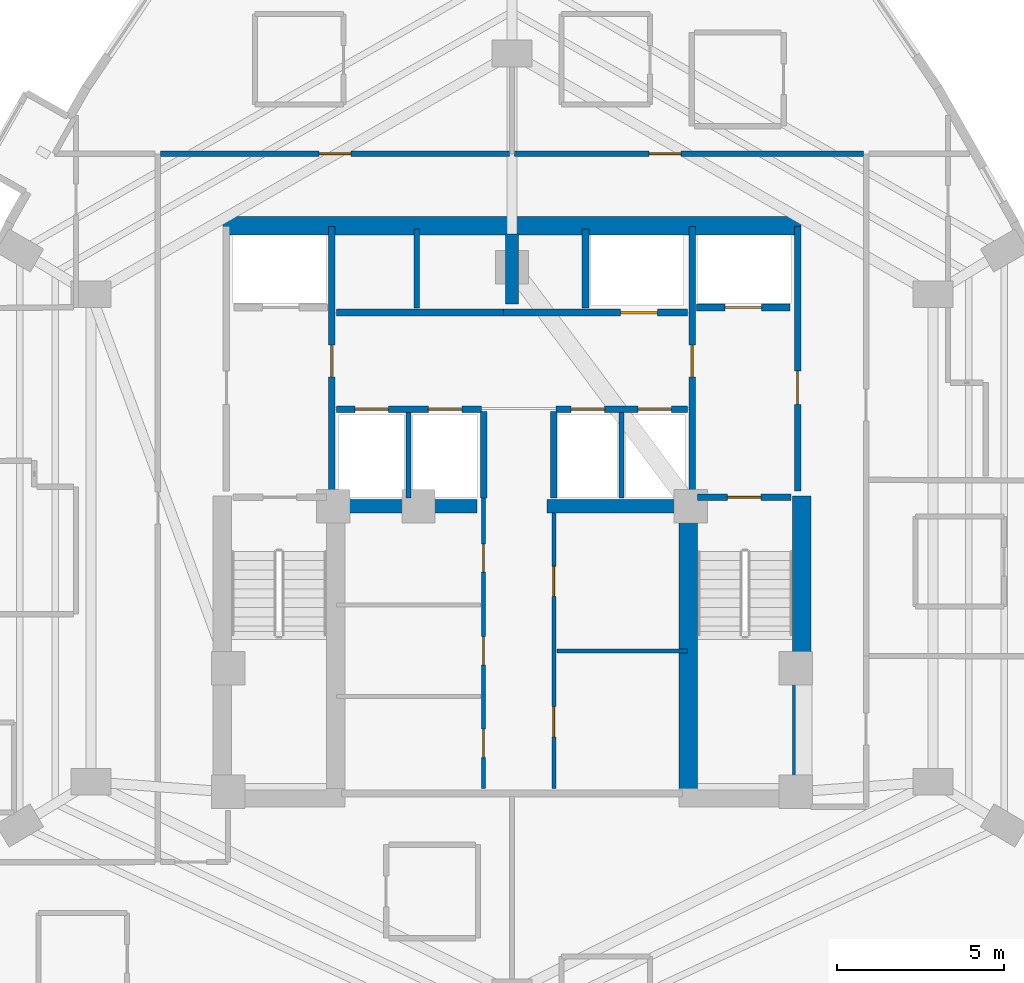
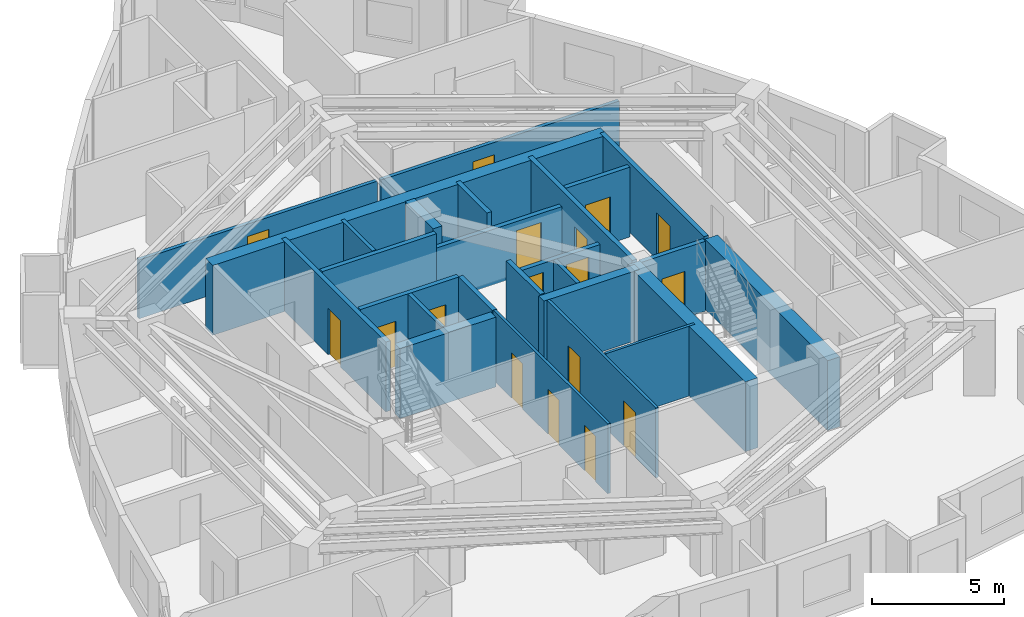
# One storey, part 8 of 12: 26 walls, 17 doors, 17 openings.
"""IFC4 building model written with IfcOpenShell, lengths in metres."""

import ifcopenshell
import ifcopenshell.guid

model = None  # the IFC model being written
_history = None  # IfcOwnerHistory: only IFC2X3 demands one
_inside = {}  # id of a spatial element -> (the spatial element, [elements in it])
_under = {}  # id of a project, library or spatial element -> (it, [spatial elements below it])
_declared = {}  # id of a project -> (the project, [libraries it declares])
_typed = {}  # id of a type object -> (the type object, [elements of that type])
_made_of = {}  # id of a material, layer set ... -> (it, [elements and type objects made of it])


def new_model(schema):
    """Start an empty IFC model of exactly this schema.

    Asked for "IFC4X3", IfcOpenShell would pick the latest addendum, in which some entities
    have other attributes; the version numbers below select the first issue.
    IFC2X3 requires an IfcOwnerHistory on every rooted entity: one is made here for all.
    """
    global model, _history
    if schema == "IFC4X3":
        model = ifcopenshell.file(schema_version=(4, 3, 0, 0))
    else:
        model = ifcopenshell.file(schema=schema)
    _inside.clear()
    _under.clear()
    _declared.clear()
    _typed.clear()
    _made_of.clear()
    _history = None
    if model.schema == "IFC2X3":
        org = make("IfcOrganization", Name="unknown")
        user = make(
            "IfcPersonAndOrganization",
            ThePerson=make("IfcPerson", FamilyName="unknown"),
            TheOrganization=org,
        )
        app = make(
            "IfcApplication",
            ApplicationDeveloper=org,
            Version="unknown",
            ApplicationFullName="unknown",
            ApplicationIdentifier="unknown",
        )
        _history = make(
            "IfcOwnerHistory",
            OwningUser=user,
            OwningApplication=app,
            ChangeAction="ADDED",
            CreationDate=0,
        )
    return model


def make(cls, **values):
    """One entity of the class cls with the attributes given. An attribute that is None is left unset."""
    return model.create_entity(
        cls, **{name: value for name, value in values.items() if value is not None}
    )


def rooted(cls, **values):
    """An entity with a GlobalId (a new one), such as an element, a storey or a relation."""
    return make(cls, GlobalId=ifcopenshell.guid.new(), OwnerHistory=_history, **values)


def si_unit(unit_type, name, prefix=None):
    """IfcSIUnit, for example si_unit("LENGTHUNIT", "METRE", prefix="MILLI")."""
    return make("IfcSIUnit", UnitType=unit_type, Prefix=prefix, Name=name)


def assignment(units):
    """IfcUnitAssignment: the units of a project."""
    return None if units is None else make("IfcUnitAssignment", Units=units)


def point(xyz):
    """IfcCartesianPoint."""
    return None if xyz is None else make("IfcCartesianPoint", Coordinates=xyz)


def direction(xyz):
    """IfcDirection."""
    return None if xyz is None else make("IfcDirection", DirectionRatios=xyz)


def frame(location, z_axis=None, x_axis=None):
    """IfcAxis2Placement3D, a coordinate frame: its origin and axes. An axis left out is left unset."""
    return make(
        "IfcAxis2Placement3D",
        Location=point(location),
        Axis=direction(z_axis),
        RefDirection=direction(x_axis),
    )


def frame_2d(location, x_axis=None):
    """IfcAxis2Placement2D, a coordinate frame in the plane: its origin and x axis."""
    return make(
        "IfcAxis2Placement2D", Location=point(location), RefDirection=direction(x_axis)
    )


def origin():
    """The frame at (0, 0, 0) with its axes left unset."""
    return frame((0.0, 0.0, 0.0))


def place(relative_to, where):
    """IfcLocalPlacement: puts the frame where relative to a parent placement (None: the world)."""
    return make(
        "IfcLocalPlacement", PlacementRelTo=relative_to, RelativePlacement=where
    )


def context(
    kind, dimensions, precision=None, world=None, true_north=None, identifier=None
):
    """IfcGeometricRepresentationContext, for example the 3D "Model" context."""
    return make(
        "IfcGeometricRepresentationContext",
        ContextIdentifier=identifier,
        ContextType=kind,
        CoordinateSpaceDimension=dimensions,
        Precision=precision,
        WorldCoordinateSystem=world,
        TrueNorth=true_north,
    )


def subcontext(parent, identifier, kind, view, scale=None):
    """IfcGeometricRepresentationSubContext, for example "Body" below "Model"."""
    return make(
        "IfcGeometricRepresentationSubContext",
        ContextIdentifier=identifier,
        ContextType=kind,
        ParentContext=parent,
        TargetScale=scale,
        TargetView=view,
    )


def project(units=None, contexts=None):
    """IfcProject with its units and contexts."""
    return rooted(
        "IfcProject",
        Name="project",
        RepresentationContexts=contexts,
        UnitsInContext=assignment(units),
    )


def spatial(cls, under=None, at=None, **own):
    """A site, building, storey or space (cls), placed at a placement, below another one or the project."""
    s = rooted(cls, ObjectPlacement=at, **own)
    if under is not None:
        _under.setdefault(under.id(), (under, []))[1].append(s)
    return s


def profile(cls, at=None, kind="AREA", **sizes):
    """A parametric profile (cls). Its sizes go by their IFC names, for example OverallWidth=200.0."""
    return make(cls, ProfileType=kind, Position=at, **sizes)


def rectangle(**sizes):
    """IfcRectangleProfileDef."""
    return profile("IfcRectangleProfileDef", **sizes)


def extrude(swept, where, along, depth):
    """IfcExtrudedAreaSolid: the profile swept, set in the frame where, extruded along a direction by depth."""
    return make(
        "IfcExtrudedAreaSolid",
        SweptArea=swept,
        Position=where,
        ExtrudedDirection=direction(along),
        Depth=depth,
    )


def shape(context_of_items, identifier, shape_type, items):
    """IfcShapeRepresentation: the items that make up one representation, for example the "Body"."""
    return make(
        "IfcShapeRepresentation",
        ContextOfItems=context_of_items,
        RepresentationIdentifier=identifier,
        RepresentationType=shape_type,
        Items=items,
    )


def material(Name=None, Category=None):
    """IfcMaterial."""
    return make("IfcMaterial", Name=Name, Category=Category)


def layer(
    of_material, thickness, ventilated=None, Name=None, Category=None, Priority=None
):
    """IfcMaterialLayer: one layer of a wall or slab, of a material (None: an air gap)."""
    return make(
        "IfcMaterialLayer",
        Material=of_material,
        LayerThickness=thickness,
        IsVentilated=ventilated,
        Name=Name,
        Category=Category,
        Priority=Priority,
    )


def layer_set(layers, Name=None):
    """IfcMaterialLayerSet."""
    return make("IfcMaterialLayerSet", MaterialLayers=layers, LayerSetName=Name)


def made_of(thing, what):
    """Note that an element or type object is made of a material, layer set ...; save() writes the relation."""
    if what is not None:
        _made_of.setdefault(what.id(), (what, []))[1].append(thing)
    return thing


def type_object(cls, material=None, **own):
    """A type object (cls), such as IfcWallType, which elements share."""
    return made_of(rooted(cls, **own), material)


def element(
    cls,
    number,
    at=None,
    inside=None,
    cuts=None,
    type_object=None,
    material=None,
    context=None,
    identifier="Body",
    shape_type=None,
    held_by="IfcProductDefinitionShape",
    body=None,
    shapes=None,
    **own,
):
    """One element of the class cls, such as IfcWall. Its Tag is "e" and its number.

    at: its placement. inside: the storey or other place that contains it. cuts: it is an
    opening in that element (IfcRelVoidsElement). A single representation is given by context,
    identifier, shape_type and body (its items); several are given by shapes. held_by: the class
    of the entity that holds the representations. save() writes the other relations.
    """
    e = rooted(cls, Tag="e%d" % number, ObjectPlacement=at, **own)
    if body is not None:
        shapes = [shape(context, identifier, shape_type, body)]
    if shapes is not None:
        e.Representation = make(held_by, Representations=shapes)
    if inside is not None:
        _inside.setdefault(inside.id(), (inside, []))[1].append(e)
    if cuts is not None:
        rooted(
            "IfcRelVoidsElement", RelatingBuildingElement=cuts, RelatedOpeningElement=e
        )
    if type_object is not None:
        _typed.setdefault(type_object.id(), (type_object, []))[1].append(e)
    return made_of(e, material)


def fill(opening, filler):
    """IfcRelFillsElement: the door or window that sits in an opening."""
    return rooted(
        "IfcRelFillsElement",
        RelatingOpeningElement=opening,
        RelatedBuildingElement=filler,
    )


def aggregate(whole, parts):
    """IfcRelAggregates: a whole, such as a stair, and the parts it consists of."""
    return rooted("IfcRelAggregates", RelatingObject=whole, RelatedObjects=parts)


def save(model, path):
    """Write the relations noted so far, then the file.

    IfcRelAggregates (storeys below a building ...), IfcRelContainedInSpatialStructure (elements
    in a storey), IfcRelDefinesByType, IfcRelAssociatesMaterial and IfcRelDeclares: one each for
    every whole, place, type object, material and project.
    """
    for whole, parts in _under.values():
        aggregate(whole, parts)
    for where, things in _inside.values():
        rooted(
            "IfcRelContainedInSpatialStructure",
            RelatedElements=things,
            RelatingStructure=where,
        )
    for kind, things in _typed.values():
        rooted("IfcRelDefinesByType", RelatedObjects=things, RelatingType=kind)
    for what, things in _made_of.values():
        rooted("IfcRelAssociatesMaterial", RelatedObjects=things, RelatingMaterial=what)
    for by, libraries in _declared.values():
        rooted("IfcRelDeclares", RelatingContext=by, RelatedDefinitions=libraries)
    model.write(path)


model = new_model("IFC4")

# Units and contexts
model_context = context("Model", 3, precision=1e-05, world=origin(), true_north=direction((0.0, 1.0)))
body_context = subcontext(model_context, "Body", "Model", "MODEL_VIEW")
ifc_project = project(units=[si_unit("LENGTHUNIT", "METRE"), si_unit("AREAUNIT", "SQUARE_METRE"), si_unit("VOLUMEUNIT", "CUBIC_METRE"), si_unit("PLANEANGLEUNIT", "RADIAN"), si_unit("MASSUNIT", "GRAM", prefix="KILO")], contexts=[model_context])

# Site, building, storey
site_placement = place(None, origin())
site = spatial("IfcSite", under=ifc_project, at=site_placement, CompositionType="ELEMENT")
building_placement = place(site_placement, origin())
building = spatial("IfcBuilding", under=site, at=building_placement, Name="Miruveldt Soraemaru", CompositionType="ELEMENT")
storey_placement = place(building_placement, frame((0.0, 0.0, 103.89990234375)))
storey = spatial("IfcBuildingStorey", under=building, at=storey_placement, Name="L28", CompositionType="ELEMENT", Elevation=103.89990234375)

# Walls
ifc_material_1 = material(Name="Concrete C70/85 (70 MPa)", Category="concrete")
ifc_layer_1 = layer(ifc_material_1, 0.5, Name="Concrete C70/85 (70 MPa)", Category="concrete")
ifc_layer_set_1 = layer_set([ifc_layer_1], Name="Concrete C70/85 (70 MPa)")
wall_type_1 = type_object("IfcWallType", Name="WALL-BW-500", PredefinedType="SHEAR", material=ifc_layer_set_1)
wall_1_placement = place(storey_placement, frame((44.0, 50.10009765625, 0.0), z_axis=(0.0, 0.0, 1.0), x_axis=(0.0, 1.0, 0.0)))
element("IfcWall", 1, at=wall_1_placement, inside=storey, type_object=wall_type_1, Name="L28 Core Buttress Shear Wall BN", PredefinedType="SHEAR", context=body_context, shape_type="SweptSolid", body=[
    extrude(rectangle(XDim=2.099853515625, YDim=0.39990234375, at=frame_2d((1.0498046875, 0.0))), origin(), (0.0, 0.0, 1.0), 3.235107421875),
])
for number, where, z_axis, x_axis, name in (
    (2, (38.75, 44.050048828125, 0.0), (0.0, 0.0, 1.0), (1.0, 0.0, 0.0), "L28 Core Buttress Shear Wall BW"),
    (3, (45.050048828125, 44.050048828125, 0.0), (0.0, 0.0, 1.0), (1.0, 0.0, 0.0), "L28 Core Buttress Shear Wall BE"),
):
    element("IfcWall", number, at=place(storey_placement, frame(where, z_axis=z_axis, x_axis=x_axis)), inside=storey, type_object=wall_type_1, Name=name, PredefinedType="SHEAR", context=body_context, shape_type="SweptSolid", body=[
        extrude(rectangle(XDim=4.199951171875, YDim=0.39990234375, at=frame_2d((2.10009765625, 0.0))), origin(), (0.0, 0.0, 1.0), 3.235107421875),
    ])
ifc_layer_2 = layer(ifc_material_1, 0.550048828125, Name="Concrete C70/85 (70 MPa)", Category="concrete")
ifc_layer_set_2 = layer_set([ifc_layer_2], Name="Concrete C70/85 (70 MPa)")
wall_type_2 = type_object("IfcWallType", Name="WALL-CW-550", PredefinedType="SHEAR", material=ifc_layer_set_2)
wall_2_placement = place(storey_placement, frame((35.35009765625, 52.449951171875, 0.0), z_axis=(0.0, 0.0, 1.0), x_axis=(1.0, 0.0, 0.0)))
element("IfcWall", 4, at=wall_2_placement, inside=storey, type_object=wall_type_2, Name="L28 Central Core Shear Wall N", PredefinedType="SHEAR", context=body_context, shape_type="SweptSolid", body=[
    extrude(rectangle(XDim=17.2998046875, YDim=0.550048828125, at=frame_2d((8.64990234375, 0.0))), origin(), (0.0, 0.0, 1.0), 3.235107421875),
])
wall_3_placement = place(storey_placement, frame((52.675048828125, 35.050048828125, 0.0), z_axis=(0.0, 0.0, 1.0), x_axis=(0.0, 1.0, 0.0)))
element("IfcWall", 5, at=wall_3_placement, inside=storey, type_object=wall_type_2, Name="L28 Central Core Shear Wall E1", PredefinedType="SHEAR", context=body_context, shape_type="SweptSolid", body=[
    extrude(rectangle(XDim=9.300048828125, YDim=0.550048828125, at=frame_2d((4.64990234375, 0.0))), origin(), (0.0, 0.0, 1.0), 3.235107421875),
])
wall_4_placement = place(storey_placement, frame((49.27490234375, 35.39990234375, 0.0), z_axis=(0.0, 0.0, 1.0), x_axis=(0.0, 1.0, 0.0)))
element("IfcWall", 6, at=wall_4_placement, inside=storey, type_object=wall_type_2, Name="L28 Central Core Shear Wall SE-INT", PredefinedType="SHEAR", context=body_context, shape_type="SweptSolid", body=[
    extrude(rectangle(XDim=8.9501953125, YDim=0.550048828125, at=frame_2d((4.47509765625, 0.0))), origin(), (0.0, 0.0, 1.0), 3.235107421875),
])

# Wall, openings, doors
ifc_material_2 = material(Name="Gypsum plasterboard lining", Category="gypsum")
ifc_layer_3 = layer(ifc_material_2, 0.1201171875, Name="Gypsum plasterboard lining", Category="gypsum")
ifc_layer_set_3 = layer_set([ifc_layer_3], Name="Gypsum plasterboard lining")
wall_type_3 = type_object("IfcWallType", Name="WALL-INT-P120", PredefinedType="PARTITIONING", material=ifc_layer_set_3)
wall_5_placement = place(storey_placement, frame((43.14990234375, 35.60009765625, 0.0), z_axis=(0.0, 0.0, 1.0), x_axis=(0.0, 1.0, 0.0)))
wall_5 = element("IfcWall", 7, at=wall_5_placement, inside=storey, type_object=wall_type_3, Name="L28 Core Compartment Wall SP-WL", PredefinedType="PARTITIONING", context=body_context, shape_type="SweptSolid", body=[
    extrude(rectangle(XDim=8.699951171875, YDim=0.1201171875, at=frame_2d((4.35009765625, 0.0))), origin(), (0.0, 0.0, 1.0), 3.235107421875),
])
opening_1_placement = place(wall_5_placement, frame((0.925048828125, 0.0, 0.0)))
opening_1 = element("IfcOpeningElement", 8, at=opening_1_placement, cuts=wall_5, Name="Opening FD3", PredefinedType="OPENING", context=body_context, shape_type="SweptSolid", body=[
    extrude(rectangle(XDim=0.85009765625, YDim=2.10009765625, at=frame_2d((0.425048828125, 1.050048828125))), frame((0.0, 0.070068359375, 0.0), z_axis=(0.0, -1.0, 0.0), x_axis=(1.0, 0.0, 0.0)), (0.0, 0.0, 1.0), 0.14013671875),
])
opening_2_placement = place(wall_5_placement, frame((3.695068359375, 0.0, 0.0)))
opening_2 = element("IfcOpeningElement", 9, at=opening_2_placement, cuts=wall_5, Name="Opening FD3", PredefinedType="OPENING", context=body_context, shape_type="SweptSolid", body=[
    extrude(rectangle(XDim=0.85009765625, YDim=2.10009765625, at=frame_2d((0.425048828125, 1.050048828125))), frame((0.0, 0.070068359375, 0.0), z_axis=(0.0, -1.0, 0.0), x_axis=(1.0, 0.0, 0.0)), (0.0, 0.0, 1.0), 0.14013671875),
])
opening_3_placement = place(wall_5_placement, frame((6.47509765625, 0.0, 0.0)))
opening_3 = element("IfcOpeningElement", 10, at=opening_3_placement, cuts=wall_5, Name="Opening FD3", PredefinedType="OPENING", context=body_context, shape_type="SweptSolid", body=[
    extrude(rectangle(XDim=0.85009765625, YDim=2.10009765625, at=frame_2d((0.425048828125, 1.050048828125))), frame((0.0, 0.070068359375, 0.0), z_axis=(0.0, -1.0, 0.0), x_axis=(1.0, 0.0, 0.0)), (0.0, 0.0, 1.0), 0.14013671875),
])
ifc_material_3 = material(Name="Anodised aluminium EN AW-6063 T6", Category="aluminium")
door_type_1 = type_object("IfcDoorType", Name="DOOR-FD3-850", OperationType="NOTDEFINED", PredefinedType="DOOR", material=ifc_material_3)
door_1_placement = place(opening_1_placement, origin())
door_1 = element("IfcDoor", 11, at=door_1_placement, inside=storey, type_object=door_type_1, Name="L28 Fire Door", OperationType="SINGLE_SWING_LEFT", OverallHeight=2.10009765625, OverallWidth=0.85009765625, PredefinedType="DOOR", context=body_context, shape_type="SweptSolid", body=[
    extrude(rectangle(XDim=0.85009765625, YDim=2.10009765625, at=frame_2d((0.425048828125, 1.050048828125))), frame((0.0, 0.02490234375, 0.0), z_axis=(0.0, -1.0, 0.0), x_axis=(1.0, 0.0, 0.0)), (0.0, 0.0, 1.0), 0.050048828125),
])
fill(opening_1, door_1)
door_2_placement = place(opening_2_placement, origin())
door_2 = element("IfcDoor", 12, at=door_2_placement, inside=storey, type_object=door_type_1, Name="L28 Fire Door", OperationType="SINGLE_SWING_LEFT", OverallHeight=2.10009765625, OverallWidth=0.85009765625, PredefinedType="DOOR", context=body_context, shape_type="SweptSolid", body=[
    extrude(rectangle(XDim=0.85009765625, YDim=2.10009765625, at=frame_2d((0.425048828125, 1.050048828125))), frame((0.0, 0.02490234375, 0.0), z_axis=(0.0, -1.0, 0.0), x_axis=(1.0, 0.0, 0.0)), (0.0, 0.0, 1.0), 0.050048828125),
])
fill(opening_2, door_2)
door_3_placement = place(opening_3_placement, origin())
door_3 = element("IfcDoor", 13, at=door_3_placement, inside=storey, type_object=door_type_1, Name="L28 Fire Door", OperationType="SINGLE_SWING_LEFT", OverallHeight=2.10009765625, OverallWidth=0.85009765625, PredefinedType="DOOR", context=body_context, shape_type="SweptSolid", body=[
    extrude(rectangle(XDim=0.85009765625, YDim=2.10009765625, at=frame_2d((0.425048828125, 1.050048828125))), frame((0.0, 0.02490234375, 0.0), z_axis=(0.0, -1.0, 0.0), x_axis=(1.0, 0.0, 0.0)), (0.0, 0.0, 1.0), 0.050048828125),
])
fill(opening_3, door_3)

wall_6_placement = place(storey_placement, frame((45.25, 35.60009765625, 0.0), z_axis=(0.0, 0.0, 1.0), x_axis=(0.0, 1.0, 0.0)))
wall_6 = element("IfcWall", 14, at=wall_6_placement, inside=storey, type_object=wall_type_3, Name="L28 Core Compartment Wall SP-EL", PredefinedType="PARTITIONING", context=body_context, shape_type="SweptSolid", body=[
    extrude(rectangle(XDim=8.25, YDim=0.1201171875, at=frame_2d((4.125, 0.0))), origin(), (0.0, 0.0, 1.0), 3.235107421875),
])
opening_4_placement = place(wall_6_placement, frame((1.550048828125, 0.0, 0.0)))
opening_4 = element("IfcOpeningElement", 15, at=opening_4_placement, cuts=wall_6, Name="Opening D3", PredefinedType="OPENING", context=body_context, shape_type="SweptSolid", body=[
    extrude(rectangle(XDim=0.89990234375, YDim=2.10009765625, at=frame_2d((0.449951171875, 1.050048828125))), frame((0.0, 0.070068359375, 0.0), z_axis=(0.0, -1.0, 0.0), x_axis=(1.0, 0.0, 0.0)), (0.0, 0.0, 1.0), 0.14013671875),
])
opening_5_placement = place(wall_6_placement, frame((5.75, 0.0, 0.0)))
opening_5 = element("IfcOpeningElement", 16, at=opening_5_placement, cuts=wall_6, Name="Opening D3", PredefinedType="OPENING", context=body_context, shape_type="SweptSolid", body=[
    extrude(rectangle(XDim=0.89990234375, YDim=2.10009765625, at=frame_2d((0.449951171875, 1.050048828125))), frame((0.0, 0.070068359375, 0.0), z_axis=(0.0, -1.0, 0.0), x_axis=(1.0, 0.0, 0.0)), (0.0, 0.0, 1.0), 0.14013671875),
])
door_type_2 = type_object("IfcDoorType", Name="DOOR-INT-900", OperationType="NOTDEFINED", PredefinedType="DOOR", material=ifc_material_3)
door_4_placement = place(opening_4_placement, origin())
door_4 = element("IfcDoor", 17, at=door_4_placement, inside=storey, type_object=door_type_2, Name="L28 Fire Door", OperationType="SINGLE_SWING_LEFT", OverallHeight=2.10009765625, OverallWidth=0.89990234375, PredefinedType="DOOR", context=body_context, shape_type="SweptSolid", body=[
    extrude(rectangle(XDim=0.89990234375, YDim=2.10009765625, at=frame_2d((0.449951171875, 1.050048828125))), frame((0.0, 0.02490234375, 0.0), z_axis=(0.0, -1.0, 0.0), x_axis=(1.0, 0.0, 0.0)), (0.0, 0.0, 1.0), 0.050048828125),
])
fill(opening_4, door_4)
door_5_placement = place(opening_5_placement, origin())
door_5 = element("IfcDoor", 18, at=door_5_placement, inside=storey, type_object=door_type_2, Name="L28 Fire Door", OperationType="SINGLE_SWING_LEFT", OverallHeight=2.10009765625, OverallWidth=0.89990234375, PredefinedType="DOOR", context=body_context, shape_type="SweptSolid", body=[
    extrude(rectangle(XDim=0.89990234375, YDim=2.10009765625, at=frame_2d((0.449951171875, 1.050048828125))), frame((0.0, 0.02490234375, 0.0), z_axis=(0.0, -1.0, 0.0), x_axis=(1.0, 0.0, 0.0)), (0.0, 0.0, 1.0), 0.050048828125),
])
fill(opening_5, door_5)

# Wall
wall_7_placement = place(storey_placement, frame((45.35009765625, 39.719970703125, 0.0), z_axis=(0.0, 0.0, 1.0), x_axis=(1.0, 0.0, 0.0)))
element("IfcWall", 19, at=wall_7_placement, inside=storey, type_object=wall_type_3, Name="L28 Core Compartment Wall RL-E3H", PredefinedType="PARTITIONING", context=body_context, shape_type="SweptSolid", body=[
    extrude(rectangle(XDim=3.89990234375, YDim=0.1201171875, at=frame_2d((1.949951171875, 0.0))), origin(), (0.0, 0.0, 1.0), 3.235107421875),
])

# Wall, opening, door
ifc_material_4 = material(Name="Concrete C40/50 (40 MPa)", Category="concrete")
ifc_layer_4 = layer(ifc_material_4, 0.159912109375, Name="Concrete C40/50 (40 MPa)", Category="concrete")
ifc_layer_set_4 = layer_set([ifc_layer_4], Name="Concrete C40/50 (40 MPa)")
wall_type_4 = type_object("IfcWallType", Name="WALL-INT-RC160", PredefinedType="SOLIDWALL", material=ifc_layer_set_4)
wall_8_placement = place(storey_placement, frame((43.919921875, 54.60009765625, 0.0), z_axis=(0.0, 0.0, 1.0), x_axis=(-1.0, 0.0, 0.0)))
wall_8 = element("IfcWall", 20, at=wall_8_placement, inside=storey, type_object=wall_type_4, Name="L28 Partition Wall 1", PredefinedType="SOLIDWALL", context=body_context, shape_type="SweptSolid", body=[
    extrude(rectangle(XDim=10.43994140625, YDim=0.159912109375, at=frame_2d((5.219970703125, 0.0))), origin(), (0.0, 0.0, 1.0), 2.72314453125),
])
opening_6_placement = place(wall_8_placement, frame((4.7451171875, 0.0, 0.0)))
opening_6 = element("IfcOpeningElement", 21, at=opening_6_placement, cuts=wall_8, Name="Opening FD2", PredefinedType="OPENING", context=body_context, shape_type="SweptSolid", body=[
    extrude(rectangle(XDim=0.949951171875, YDim=2.14990234375, at=frame_2d((0.47509765625, 1.074951171875))), frame((0.0, 0.08984375, 0.0), z_axis=(0.0, -1.0, 0.0), x_axis=(1.0, 0.0, 0.0)), (0.0, 0.0, 1.0), 0.179931640625),
])
door_type_3 = type_object("IfcDoorType", Name="DOOR-FD2-950", OperationType="NOTDEFINED", PredefinedType="DOOR", material=ifc_material_3)
door_6_placement = place(opening_6_placement, origin())
door_6 = element("IfcDoor", 22, at=door_6_placement, inside=storey, type_object=door_type_3, Name="L28 Unit 2801 Entrance Fire Door", OperationType="SINGLE_SWING_LEFT", OverallHeight=2.14990234375, OverallWidth=0.949951171875, PredefinedType="DOOR", context=body_context, shape_type="SweptSolid", body=[
    extrude(rectangle(XDim=0.949951171875, YDim=2.14990234375, at=frame_2d((0.47509765625, 1.074951171875))), frame((0.0, 0.02490234375, 0.0), z_axis=(0.0, -1.0, 0.0), x_axis=(1.0, 0.0, 0.0)), (0.0, 0.0, 1.0), 0.050048828125),
])
fill(opening_6, door_6)

wall_9_placement = place(storey_placement, frame((54.52001953125, 54.60009765625, 0.0), z_axis=(0.0, 0.0, 1.0), x_axis=(-1.0, 0.0, 0.0)))
wall_9 = element("IfcWall", 23, at=wall_9_placement, inside=storey, type_object=wall_type_4, Name="L28 Partition Wall 2", PredefinedType="SOLIDWALL", context=body_context, shape_type="SweptSolid", body=[
    extrude(rectangle(XDim=10.43994140625, YDim=0.159912109375, at=frame_2d((5.219970703125, 0.0))), origin(), (0.0, 0.0, 1.0), 2.72314453125),
])
opening_7_placement = place(wall_9_placement, frame((5.465087890625, 0.0, 0.0)))
opening_7 = element("IfcOpeningElement", 24, at=opening_7_placement, cuts=wall_9, Name="Opening FD2", PredefinedType="OPENING", context=body_context, shape_type="SweptSolid", body=[
    extrude(rectangle(XDim=0.949951171875, YDim=2.14990234375, at=frame_2d((0.47509765625, 1.074951171875))), frame((0.0, 0.08984375, 0.0), z_axis=(0.0, -1.0, 0.0), x_axis=(1.0, 0.0, 0.0)), (0.0, 0.0, 1.0), 0.179931640625),
])
door_7_placement = place(opening_7_placement, origin())
door_7 = element("IfcDoor", 25, at=door_7_placement, inside=storey, type_object=door_type_3, Name="L28 Unit 2802 Entrance Fire Door", OperationType="SINGLE_SWING_RIGHT", OverallHeight=2.14990234375, OverallWidth=0.949951171875, PredefinedType="DOOR", context=body_context, shape_type="SweptSolid", body=[
    extrude(rectangle(XDim=0.949951171875, YDim=2.14990234375, at=frame_2d((0.47509765625, 1.074951171875))), frame((0.0, 0.02490234375, 0.0), z_axis=(0.0, -1.0, 0.0), x_axis=(1.0, 0.0, 0.0)), (0.0, 0.0, 1.0), 0.050048828125),
])
fill(opening_7, door_7)

# Walls
wall_10_placement = place(storey_placement, frame((40.89990234375, 44.300048828125, 0.0), z_axis=(0.0, 0.0, 1.0), x_axis=(0.0, 1.0, 0.0)))
element("IfcWall", 26, at=wall_10_placement, inside=storey, type_object=wall_type_4, Name="L28 Core Compartment Wall PLM-DW", PredefinedType="SOLIDWALL", context=body_context, shape_type="SweptSolid", body=[
    extrude(rectangle(XDim=2.550048828125, YDim=0.159912109375, at=frame_2d((1.27490234375, 0.0))), origin(), (0.0, 0.0, 1.0), 3.235107421875),
])
wall_11_placement = place(storey_placement, frame((47.280029296875, 44.300048828125, 0.0), z_axis=(0.0, 0.0, 1.0), x_axis=(0.0, 1.0, 0.0)))
element("IfcWall", 27, at=wall_11_placement, inside=storey, type_object=wall_type_4, Name="L28 Core Compartment Wall PLM-DE", PredefinedType="SOLIDWALL", context=body_context, shape_type="SweptSolid", body=[
    extrude(rectangle(XDim=2.550048828125, YDim=0.159912109375, at=frame_2d((1.27490234375, 0.0))), origin(), (0.0, 0.0, 1.0), 2.572998046875),
])
wall_12_placement = place(storey_placement, frame((41.14990234375, 49.97998046875, 0.0), z_axis=(0.0, 0.0, 1.0), x_axis=(0.0, 1.0, 0.0)))
element("IfcWall", 28, at=wall_12_placement, inside=storey, type_object=wall_type_4, Name="L28 Core Compartment Wall PLH-DIV1", PredefinedType="SOLIDWALL", context=body_context, shape_type="SweptSolid", body=[
    extrude(rectangle(XDim=2.3701171875, YDim=0.159912109375, at=frame_2d((1.18505859375, 0.0))), origin(), (0.0, 0.0, 1.0), 3.235107421875),
])

# Wall, opening, door
ifc_layer_5 = layer(ifc_material_4, 0.199951171875, Name="Concrete C40/50 (40 MPa)", Category="concrete")
ifc_layer_set_5 = layer_set([ifc_layer_5], Name="Concrete C40/50 (40 MPa)")
wall_type_5 = type_object("IfcWallType", Name="WALL-INT-RC200", PredefinedType="SOLIDWALL", material=ifc_layer_set_5)
wall_13_placement = place(storey_placement, frame((52.550048828125, 44.5, 0.0), z_axis=(0.0, 0.0, 1.0), x_axis=(0.0, 1.0, 0.0)))
wall_13 = element("IfcWall", 29, at=wall_13_placement, inside=storey, type_object=wall_type_5, Name="L28 Core Compartment Wall FFE-OUT", PredefinedType="SOLIDWALL", context=body_context, shape_type="SweptSolid", body=[
    extrude(rectangle(XDim=7.919921875, YDim=0.199951171875, at=frame_2d((3.9599609375, 0.0))), origin(), (0.0, 0.0, 1.0), 3.235107421875),
])
opening_8_placement = place(wall_13_placement, frame((2.60009765625, 0.0, 0.0)))
opening_8 = element("IfcOpeningElement", 30, at=opening_8_placement, cuts=wall_13, Name="Opening FD1", PredefinedType="OPENING", context=body_context, shape_type="SweptSolid", body=[
    extrude(rectangle(XDim=1.0, YDim=2.14990234375, at=frame_2d((0.5, 1.074951171875))), frame((0.0, 0.10986328125, 0.0), z_axis=(0.0, -1.0, 0.0), x_axis=(1.0, 0.0, 0.0)), (0.0, 0.0, 1.0), 0.219970703125),
])
door_type_4 = type_object("IfcDoorType", Name="DOOR-FD1-1000", OperationType="NOTDEFINED", PredefinedType="DOOR", material=ifc_material_3)
door_8_placement = place(opening_8_placement, frame((1.0, 0.0, 0.0), z_axis=(0.0, 0.0, 1.0), x_axis=(-1.0, 0.0, 0.0)))
door_8 = element("IfcDoor", 31, at=door_8_placement, inside=storey, type_object=door_type_4, Name="L28 East Firefighting Lobby Exit Door", OperationType="SINGLE_SWING_RIGHT", OverallHeight=2.14990234375, OverallWidth=1.0, PredefinedType="DOOR", context=body_context, shape_type="SweptSolid", body=[
    extrude(rectangle(XDim=1.0, YDim=2.14990234375, at=frame_2d((0.5, 1.074951171875))), frame((0.0, 0.02490234375, 0.0), z_axis=(0.0, -1.0, 0.0), x_axis=(1.0, 0.0, 0.0)), (0.0, 0.0, 1.0), 0.050048828125),
])
fill(opening_8, door_8)

wall_14_placement = place(storey_placement, frame((38.60009765625, 44.5, 0.0), z_axis=(0.0, 0.0, 1.0), x_axis=(0.0, 1.0, 0.0)))
wall_14 = element("IfcWall", 32, at=wall_14_placement, inside=storey, type_object=wall_type_5, Name="L28 Core Compartment Wall FFW-IN", PredefinedType="SOLIDWALL", context=body_context, shape_type="SweptSolid", body=[
    extrude(rectangle(XDim=7.919921875, YDim=0.199951171875, at=frame_2d((3.9599609375, 0.0))), origin(), (0.0, 0.0, 1.0), 3.235107421875),
])
opening_9_placement = place(wall_14_placement, frame((3.425048828125, 0.0, 0.0)))
opening_9 = element("IfcOpeningElement", 33, at=opening_9_placement, cuts=wall_14, Name="Opening FD2", PredefinedType="OPENING", context=body_context, shape_type="SweptSolid", body=[
    extrude(rectangle(XDim=0.949951171875, YDim=2.14990234375, at=frame_2d((0.47509765625, 1.074951171875))), frame((0.0, 0.10986328125, 0.0), z_axis=(0.0, -1.0, 0.0), x_axis=(1.0, 0.0, 0.0)), (0.0, 0.0, 1.0), 0.219970703125),
])
door_9_placement = place(opening_9_placement, frame((0.949951171875, 0.0, 0.0), z_axis=(0.0, 0.0, 1.0), x_axis=(-1.0, 0.0, 0.0)))
door_9 = element("IfcDoor", 34, at=door_9_placement, inside=storey, type_object=door_type_3, Name="L28 Lift Lobby to West Fire Lobby Door", OperationType="SINGLE_SWING_RIGHT", OverallHeight=2.14990234375, OverallWidth=0.949951171875, PredefinedType="DOOR", context=body_context, shape_type="SweptSolid", body=[
    extrude(rectangle(XDim=0.949951171875, YDim=2.14990234375, at=frame_2d((0.47509765625, 1.074951171875))), frame((0.0, 0.02490234375, 0.0), z_axis=(0.0, -1.0, 0.0), x_axis=(1.0, 0.0, 0.0)), (0.0, 0.0, 1.0), 0.050048828125),
])
fill(opening_9, door_9)

wall_15_placement = place(storey_placement, frame((49.39990234375, 44.5, 0.0), z_axis=(0.0, 0.0, 1.0), x_axis=(0.0, 1.0, 0.0)))
wall_15 = element("IfcWall", 35, at=wall_15_placement, inside=storey, type_object=wall_type_5, Name="L28 Core Compartment Wall FFE-IN", PredefinedType="SOLIDWALL", context=body_context, shape_type="SweptSolid", body=[
    extrude(rectangle(XDim=7.919921875, YDim=0.199951171875, at=frame_2d((3.9599609375, 0.0))), origin(), (0.0, 0.0, 1.0), 3.235107421875),
])
opening_10_placement = place(wall_15_placement, frame((3.425048828125, 0.0, 0.0)))
opening_10 = element("IfcOpeningElement", 36, at=opening_10_placement, cuts=wall_15, Name="Opening FD2", PredefinedType="OPENING", context=body_context, shape_type="SweptSolid", body=[
    extrude(rectangle(XDim=0.949951171875, YDim=2.14990234375, at=frame_2d((0.47509765625, 1.074951171875))), frame((0.0, 0.10986328125, 0.0), z_axis=(0.0, -1.0, 0.0), x_axis=(1.0, 0.0, 0.0)), (0.0, 0.0, 1.0), 0.219970703125),
])
door_10_placement = place(opening_10_placement, origin())
door_10 = element("IfcDoor", 37, at=door_10_placement, inside=storey, type_object=door_type_3, Name="L28 Lift Lobby to East Fire Lobby Door", OperationType="SINGLE_SWING_LEFT", OverallHeight=2.14990234375, OverallWidth=0.949951171875, PredefinedType="DOOR", context=body_context, shape_type="SweptSolid", body=[
    extrude(rectangle(XDim=0.949951171875, YDim=2.14990234375, at=frame_2d((0.47509765625, 1.074951171875))), frame((0.0, 0.02490234375, 0.0), z_axis=(0.0, -1.0, 0.0), x_axis=(1.0, 0.0, 0.0)), (0.0, 0.0, 1.0), 0.050048828125),
])
fill(opening_10, door_10)

wall_16_placement = place(storey_placement, frame((43.75, 49.85009765625, 0.0), z_axis=(0.0, 0.0, 1.0), x_axis=(1.0, 0.0, 0.0)))
wall_16 = element("IfcWall", 38, at=wall_16_placement, inside=storey, type_object=wall_type_5, Name="L28 Core Compartment Wall ROWA-SE", PredefinedType="SOLIDWALL", context=body_context, shape_type="SweptSolid", body=[
    extrude(rectangle(XDim=5.5, YDim=0.199951171875, at=frame_2d((2.75, 0.0))), origin(), (0.0, 0.0, 1.0), 2.572998046875),
])
opening_11_placement = place(wall_16_placement, frame((3.5, 0.0, 0.0)))
opening_11 = element("IfcOpeningElement", 39, at=opening_11_placement, cuts=wall_16, Name="Opening LD2", PredefinedType="OPENING", context=body_context, shape_type="SweptSolid", body=[
    extrude(rectangle(XDim=1.10009765625, YDim=2.14990234375, at=frame_2d((0.550048828125, 1.074951171875))), frame((0.0, 0.10986328125, 0.0), z_axis=(0.0, -1.0, 0.0), x_axis=(1.0, 0.0, 0.0)), (0.0, 0.0, 1.0), 0.219970703125),
])
door_type_5 = type_object("IfcDoorType", Name="DOOR-LD2-1100", OperationType="SLIDING_TO_LEFT", PredefinedType="DOOR", material=ifc_material_3)
door_11_placement = place(opening_11_placement, origin())
door_11 = element("IfcDoor", 40, at=door_11_placement, inside=storey, type_object=door_type_5, Name="L28 SL-1 Landing Door", OperationType="SLIDING_TO_LEFT", OverallHeight=2.14990234375, OverallWidth=1.10009765625, PredefinedType="DOOR", context=body_context, shape_type="SweptSolid", body=[
    extrude(rectangle(XDim=1.10009765625, YDim=2.14990234375, at=frame_2d((0.550048828125, 1.074951171875))), frame((0.0, 0.02490234375, 0.0), z_axis=(0.0, -1.0, 0.0), x_axis=(1.0, 0.0, 0.0)), (0.0, 0.0, 1.0), 0.050048828125),
])
fill(opening_11, door_11)

# Wall, openings, doors
wall_17_placement = place(storey_placement, frame((38.75, 46.949951171875, 0.0), z_axis=(0.0, 0.0, 1.0), x_axis=(1.0, 0.0, 0.0)))
wall_17 = element("IfcWall", 41, at=wall_17_placement, inside=storey, type_object=wall_type_5, Name="L28 Core Compartment Wall MBW-N", PredefinedType="SOLIDWALL", context=body_context, shape_type="SweptSolid", body=[
    extrude(rectangle(XDim=4.330078125, YDim=0.199951171875, at=frame_2d((2.1650390625, 0.0))), origin(), (0.0, 0.0, 1.0), 3.235107421875),
])
opening_12_placement = place(wall_17_placement, frame((0.550048828125, 0.0, 0.0)))
opening_12 = element("IfcOpeningElement", 42, at=opening_12_placement, cuts=wall_17, Name="Opening LD1B", PredefinedType="OPENING", context=body_context, shape_type="SweptSolid", body=[
    extrude(rectangle(XDim=1.0, YDim=2.14990234375, at=frame_2d((0.5, 1.074951171875))), frame((0.0, 0.10986328125, 0.0), z_axis=(0.0, -1.0, 0.0), x_axis=(1.0, 0.0, 0.0)), (0.0, 0.0, 1.0), 0.219970703125),
])
opening_13_placement = place(wall_17_placement, frame((2.75, 0.0, 0.0)))
opening_13 = element("IfcOpeningElement", 43, at=opening_13_placement, cuts=wall_17, Name="Opening LD1B", PredefinedType="OPENING", context=body_context, shape_type="SweptSolid", body=[
    extrude(rectangle(XDim=1.0, YDim=2.14990234375, at=frame_2d((0.5, 1.074951171875))), frame((0.0, 0.10986328125, 0.0), z_axis=(0.0, -1.0, 0.0), x_axis=(1.0, 0.0, 0.0)), (0.0, 0.0, 1.0), 0.219970703125),
])
door_type_6 = type_object("IfcDoorType", Name="DOOR-LD1-1000", OperationType="SLIDING_TO_LEFT", PredefinedType="DOOR", material=ifc_material_3)
door_12_placement = place(opening_12_placement, origin())
door_12 = element("IfcDoor", 44, at=door_12_placement, inside=storey, type_object=door_type_6, Name="L28 PL-M1 Landing Door", OperationType="SLIDING_TO_LEFT", OverallHeight=2.14990234375, OverallWidth=1.0, PredefinedType="DOOR", context=body_context, shape_type="SweptSolid", body=[
    extrude(rectangle(XDim=1.0, YDim=2.14990234375, at=frame_2d((0.5, 1.074951171875))), frame((0.0, 0.02490234375, 0.0), z_axis=(0.0, -1.0, 0.0), x_axis=(1.0, 0.0, 0.0)), (0.0, 0.0, 1.0), 0.050048828125),
])
fill(opening_12, door_12)
door_13_placement = place(opening_13_placement, origin())
door_13 = element("IfcDoor", 45, at=door_13_placement, inside=storey, type_object=door_type_6, Name="L28 PL-M2 Landing Door", OperationType="SLIDING_TO_LEFT", OverallHeight=2.14990234375, OverallWidth=1.0, PredefinedType="DOOR", context=body_context, shape_type="SweptSolid", body=[
    extrude(rectangle(XDim=1.0, YDim=2.14990234375, at=frame_2d((0.5, 1.074951171875))), frame((0.0, 0.02490234375, 0.0), z_axis=(0.0, -1.0, 0.0), x_axis=(1.0, 0.0, 0.0)), (0.0, 0.0, 1.0), 0.050048828125),
])
fill(opening_13, door_13)

wall_18_placement = place(storey_placement, frame((45.320068359375, 46.949951171875, 0.0), z_axis=(0.0, 0.0, 1.0), x_axis=(1.0, 0.0, 0.0)))
wall_18 = element("IfcWall", 46, at=wall_18_placement, inside=storey, type_object=wall_type_5, Name="L28 Core Compartment Wall MBE-N", PredefinedType="SOLIDWALL", context=body_context, shape_type="SweptSolid", body=[
    extrude(rectangle(XDim=3.929931640625, YDim=0.199951171875, at=frame_2d((1.96484375, 0.0))), origin(), (0.0, 0.0, 1.0), 2.572998046875),
])
opening_14_placement = place(wall_18_placement, frame((0.449951171875, 0.0, 0.0)))
opening_14 = element("IfcOpeningElement", 47, at=opening_14_placement, cuts=wall_18, Name="Opening LD1B", PredefinedType="OPENING", context=body_context, shape_type="SweptSolid", body=[
    extrude(rectangle(XDim=1.0, YDim=2.14990234375, at=frame_2d((0.5, 1.074951171875))), frame((0.0, 0.10986328125, 0.0), z_axis=(0.0, -1.0, 0.0), x_axis=(1.0, 0.0, 0.0)), (0.0, 0.0, 1.0), 0.219970703125),
])
opening_15_placement = place(wall_18_placement, frame((2.449951171875, 0.0, 0.0)))
opening_15 = element("IfcOpeningElement", 48, at=opening_15_placement, cuts=wall_18, Name="Opening LD1B", PredefinedType="OPENING", context=body_context, shape_type="SweptSolid", body=[
    extrude(rectangle(XDim=1.0, YDim=2.14990234375, at=frame_2d((0.5, 1.074951171875))), frame((0.0, 0.10986328125, 0.0), z_axis=(0.0, -1.0, 0.0), x_axis=(1.0, 0.0, 0.0)), (0.0, 0.0, 1.0), 0.219970703125),
])
door_14_placement = place(opening_14_placement, origin())
door_14 = element("IfcDoor", 49, at=door_14_placement, inside=storey, type_object=door_type_6, Name="L28 PL-M3 Landing Door", OperationType="SLIDING_TO_LEFT", OverallHeight=2.14990234375, OverallWidth=1.0, PredefinedType="DOOR", context=body_context, shape_type="SweptSolid", body=[
    extrude(rectangle(XDim=1.0, YDim=2.14990234375, at=frame_2d((0.5, 1.074951171875))), frame((0.0, 0.02490234375, 0.0), z_axis=(0.0, -1.0, 0.0), x_axis=(1.0, 0.0, 0.0)), (0.0, 0.0, 1.0), 0.050048828125),
])
fill(opening_14, door_14)
door_15_placement = place(opening_15_placement, origin())
door_15 = element("IfcDoor", 50, at=door_15_placement, inside=storey, type_object=door_type_6, Name="L28 PL-M4 Landing Door", OperationType="SLIDING_TO_LEFT", OverallHeight=2.14990234375, OverallWidth=1.0, PredefinedType="DOOR", context=body_context, shape_type="SweptSolid", body=[
    extrude(rectangle(XDim=1.0, YDim=2.14990234375, at=frame_2d((0.5, 1.074951171875))), frame((0.0, 0.02490234375, 0.0), z_axis=(0.0, -1.0, 0.0), x_axis=(1.0, 0.0, 0.0)), (0.0, 0.0, 1.0), 0.050048828125),
])
fill(opening_15, door_15)

# Wall, opening, door
wall_19_placement = place(storey_placement, frame((49.550048828125, 44.320068359375, 0.0), z_axis=(0.0, 0.0, 1.0), x_axis=(1.0, 0.0, 0.0)))
wall_19 = element("IfcWall", 51, at=wall_19_placement, inside=storey, type_object=wall_type_5, Name="L28 Core Compartment Wall ST2-N", PredefinedType="SOLIDWALL", context=body_context, shape_type="SweptSolid", body=[
    extrude(rectangle(XDim=2.800048828125, YDim=0.199951171875, at=frame_2d((1.39990234375, 0.0))), origin(), (0.0, 0.0, 1.0), 3.235107421875),
])
opening_16_placement = place(wall_19_placement, frame((0.89990234375, 0.0, 0.0)))
opening_16 = element("IfcOpeningElement", 52, at=opening_16_placement, cuts=wall_19, Name="Opening FD1", PredefinedType="OPENING", context=body_context, shape_type="SweptSolid", body=[
    extrude(rectangle(XDim=1.0, YDim=2.14990234375, at=frame_2d((0.5, 1.074951171875))), frame((0.0, 0.10986328125, 0.0), z_axis=(0.0, -1.0, 0.0), x_axis=(1.0, 0.0, 0.0)), (0.0, 0.0, 1.0), 0.219970703125),
])
door_16_placement = place(opening_16_placement, frame((1.0, 0.0, 0.0), z_axis=(0.0, 0.0, 1.0), x_axis=(-1.0, 0.0, 0.0)))
door_16 = element("IfcDoor", 53, at=door_16_placement, inside=storey, type_object=door_type_4, Name="L28 Stair ST-2 Fire Door", OperationType="SINGLE_SWING_RIGHT", OverallHeight=2.14990234375, OverallWidth=1.0, PredefinedType="DOOR", context=body_context, shape_type="SweptSolid", body=[
    extrude(rectangle(XDim=1.0, YDim=2.14990234375, at=frame_2d((0.5, 1.074951171875))), frame((0.0, 0.02490234375, 0.0), z_axis=(0.0, -1.0, 0.0), x_axis=(1.0, 0.0, 0.0)), (0.0, 0.0, 1.0), 0.050048828125),
])
fill(opening_16, door_16)

wall_20_placement = place(storey_placement, frame((49.52001953125, 50.0, 0.0), z_axis=(0.0, 0.0, 1.0), x_axis=(1.0, 0.0, 0.0)))
wall_20 = element("IfcWall", 54, at=wall_20_placement, inside=storey, type_object=wall_type_5, Name="L28 Core Compartment Wall FFL2-S", PredefinedType="SOLIDWALL", context=body_context, shape_type="SweptSolid", body=[
    extrude(rectangle(XDim=2.800048828125, YDim=0.199951171875, at=frame_2d((1.39990234375, 0.0))), origin(), (0.0, 0.0, 1.0), 3.235107421875),
])
opening_17_placement = place(wall_20_placement, frame((0.85009765625, 0.0, 0.0)))
opening_17 = element("IfcOpeningElement", 55, at=opening_17_placement, cuts=wall_20, Name="Opening LD2", PredefinedType="OPENING", context=body_context, shape_type="SweptSolid", body=[
    extrude(rectangle(XDim=1.10009765625, YDim=2.14990234375, at=frame_2d((0.550048828125, 1.074951171875))), frame((0.0, 0.10986328125, 0.0), z_axis=(0.0, -1.0, 0.0), x_axis=(1.0, 0.0, 0.0)), (0.0, 0.0, 1.0), 0.219970703125),
])
door_17_placement = place(opening_17_placement, origin())
door_17 = element("IfcDoor", 56, at=door_17_placement, inside=storey, type_object=door_type_5, Name="L28 FFL-2 Landing Door", OperationType="SLIDING_TO_LEFT", OverallHeight=2.14990234375, OverallWidth=1.10009765625, PredefinedType="DOOR", context=body_context, shape_type="SweptSolid", body=[
    extrude(rectangle(XDim=1.10009765625, YDim=2.14990234375, at=frame_2d((0.550048828125, 1.074951171875))), frame((0.0, 0.02490234375, 0.0), z_axis=(0.0, -1.0, 0.0), x_axis=(1.0, 0.0, 0.0)), (0.0, 0.0, 1.0), 0.050048828125),
])
fill(opening_17, door_17)

# Walls
wall_21_placement = place(storey_placement, frame((38.75, 49.85009765625, 0.0), z_axis=(0.0, 0.0, 1.0), x_axis=(1.0, 0.0, 0.0)))
element("IfcWall", 57, at=wall_21_placement, inside=storey, type_object=wall_type_5, Name="L28 Core Compartment Wall ROWA-SW", PredefinedType="SOLIDWALL", context=body_context, shape_type="SweptSolid", body=[
    extrude(rectangle(XDim=5.0, YDim=0.199951171875, at=frame_2d((2.5, 0.0))), origin(), (0.0, 0.0, 1.0), 3.235107421875),
])
for number, where, z_axis, x_axis, name in (
    (58, (43.14990234375, 44.300048828125, 0.0), (0.0, 0.0, 1.0), (0.0, 1.0, 0.0), "L28 Core Compartment Wall SP-WB"),
    (59, (45.25, 44.300048828125, 0.0), (0.0, 0.0, 1.0), (0.0, 1.0, 0.0), "L28 Core Compartment Wall SP-EB"),
):
    element("IfcWall", number, at=place(storey_placement, frame(where, z_axis=z_axis, x_axis=x_axis)), inside=storey, type_object=wall_type_5, Name=name, PredefinedType="SOLIDWALL", context=body_context, shape_type="SweptSolid", body=[
        extrude(rectangle(XDim=2.579833984375, YDim=0.199951171875, at=frame_2d((1.2900390625, 0.0))), origin(), (0.0, 0.0, 1.0), 3.235107421875),
    ])
wall_22_placement = place(storey_placement, frame((46.199951171875, 49.97998046875, 0.0), z_axis=(0.0, 0.0, 1.0), x_axis=(0.0, 1.0, 0.0)))
element("IfcWall", 60, at=wall_22_placement, inside=storey, type_object=wall_type_5, Name="L28 Core Compartment Wall PLH-SL-DIV", PredefinedType="SOLIDWALL", context=body_context, shape_type="SweptSolid", body=[
    extrude(rectangle(XDim=2.3701171875, YDim=0.199951171875, at=frame_2d((1.18505859375, 0.0))), origin(), (0.0, 0.0, 1.0), 3.235107421875),
])

save(model, "model.ifc")
